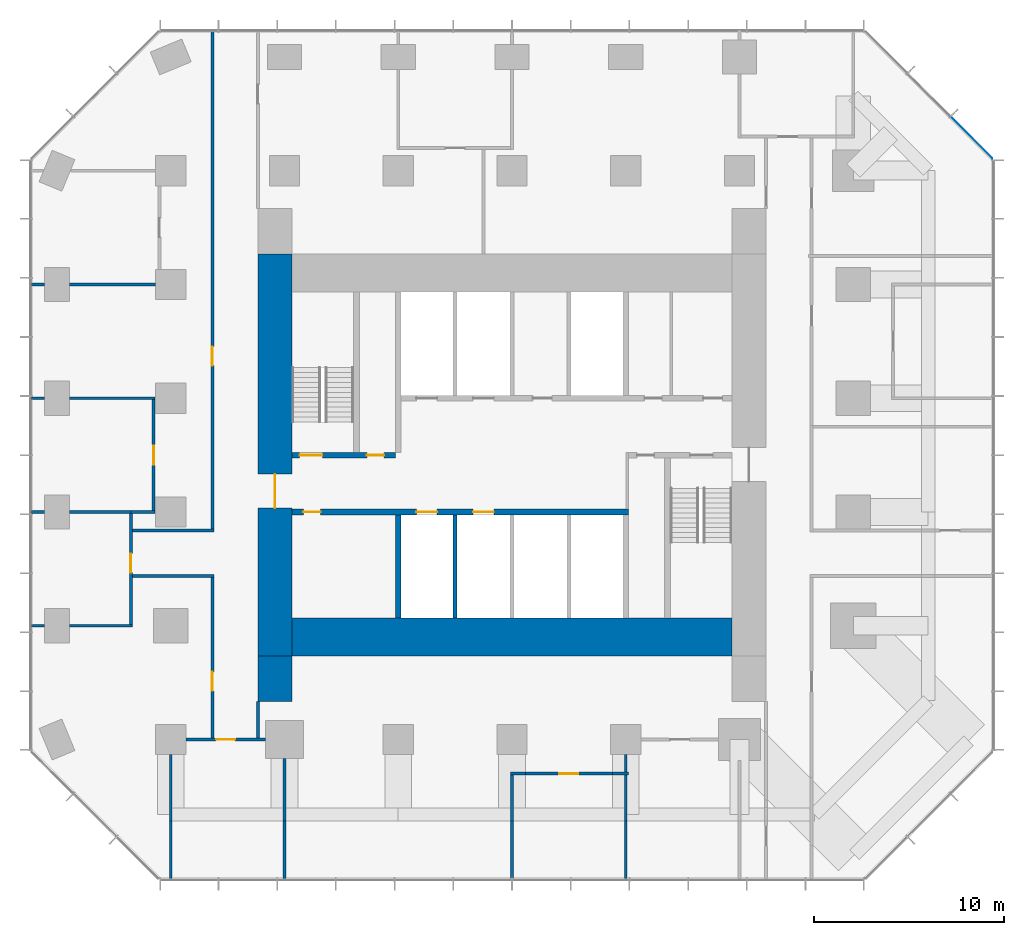
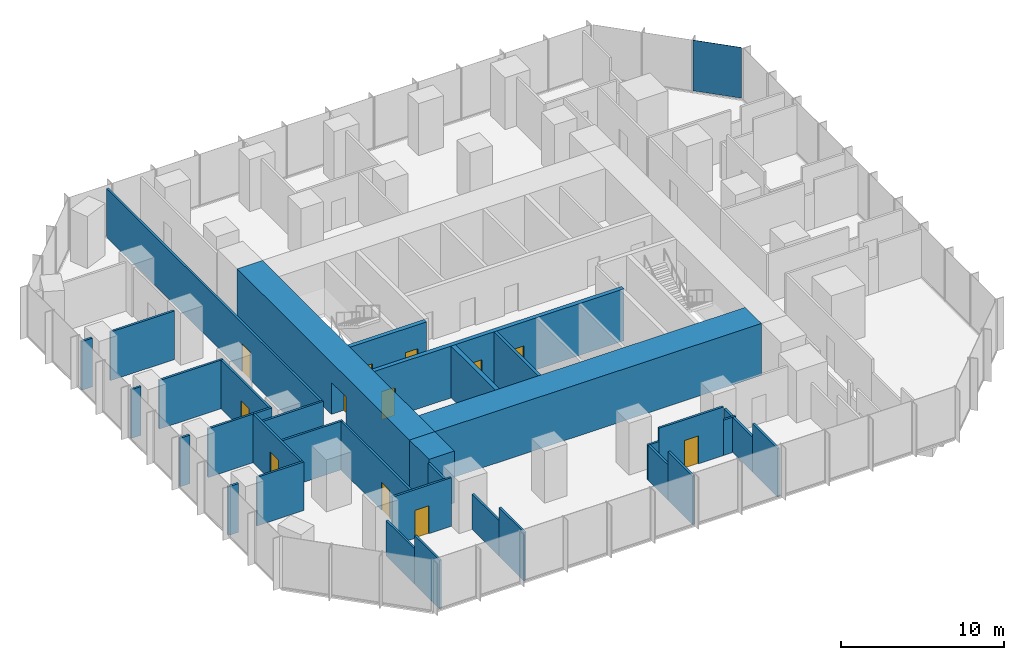
# One storey, part 8 of 11: 36 walls, 12 doors, 1 plate, 12 openings, 1 element without a shape of its own.
"""IFC4 building model written with IfcOpenShell, lengths in metres."""

from ifc_helpers import new_model, si_unit, direction, frame, frame_2d, origin, origin_2d, place, context, subcontext, project, spatial, rectangle, extrude, material, layer, layer_set, type_object, element, fill, aggregate, save


model = new_model("IFC4")

# Units and contexts
model_context = context("Model", 3, precision=1e-05, world=origin(), true_north=direction((0.0, 1.0)))
body_context = subcontext(model_context, "Body", "Model", "MODEL_VIEW")
ifc_project = project(units=[si_unit("LENGTHUNIT", "METRE"), si_unit("AREAUNIT", "SQUARE_METRE"), si_unit("VOLUMEUNIT", "CUBIC_METRE"), si_unit("PLANEANGLEUNIT", "RADIAN"), si_unit("MASSUNIT", "GRAM", prefix="KILO")], contexts=[model_context])

# Site, building, storey
site_placement = place(None, origin())
site = spatial("IfcSite", under=ifc_project, at=site_placement, CompositionType="ELEMENT")
building_placement = place(site_placement, origin())
building = spatial("IfcBuilding", under=site, at=building_placement, Name="Highveld Stack Headquarters", CompositionType="ELEMENT")
storey_placement = place(building_placement, frame((0.0, 0.0, 144.5)))
storey = spatial("IfcBuildingStorey", under=building, at=storey_placement, Name="L35", CompositionType="ELEMENT", Elevation=144.5)

# Curtain wall, plate
ifc_material_1 = material(Name="Aluminium bronze anodised", Category="aluminium")
ifc_layer_1 = layer(ifc_material_1, 0.199951171875)
ifc_layer_set_1 = layer_set([ifc_layer_1], Name="Aluminium bronze anodised")
curtain_wall_type = type_object("IfcCurtainWallType", Name="CW2 TOWER CHAMFER UNITISED CURTAIN WALL", PredefinedType="NOTDEFINED", material=ifc_layer_set_1)
curtain_wall_placement = place(storey_placement, origin())
curtain_wall = element("IfcCurtainWall", 1, at=curtain_wall_placement, inside=storey, type_object=curtain_wall_type, Name="Curtain wall CW2 L35 NE", PredefinedType="NOTDEFINED")
ifc_material_2 = material(Name="Glass bronze tinted double glazed unit", Category="glass")
ifc_layer_2 = layer(ifc_material_2, 0.028076171875)
ifc_layer_set_2 = layer_set([ifc_layer_2], Name="Glass bronze tinted double glazed unit")
plate_type = type_object("IfcPlateType", Name="CW2 PANEL BRONZE TINTED DOUBLE GLAZED UNIT", PredefinedType="CURTAIN_PANEL", material=ifc_layer_set_2)
plate_placement = place(storey_placement, frame((30.239501953125, 19.740478515625, 0.10009765625), z_axis=(0.0, 0.0, 1.0), x_axis=(-0.707106781187, 0.707106781187, 0.0)))
plate = element("IfcPlate", 2, at=plate_placement, type_object=plate_type, Name="CW2 panel L35 1.1", PredefinedType="CURTAIN_PANEL", context=body_context, shape_type="SweptSolid", body=[
    extrude(rectangle(XDim=3.08251953125, YDim=0.028076171875, at=origin_2d()), origin(), (0.0, 0.0, 1.0), 3.800048828125),
])
aggregate(curtain_wall, [plate])

# Wall, opening, door
ifc_material_3 = material(Name="Concrete C60/75", Category="concrete")
ifc_layer_3 = layer(ifc_material_3, 1.800048828125)
ifc_layer_set_3 = layer_set([ifc_layer_3], Name="Concrete C60/75")
wall_type_1 = type_object("IfcWallType", Name="CORE WALL 1800 C60/75", PredefinedType="SHEAR", material=ifc_layer_set_3)
wall_1_placement = place(storey_placement, frame((-6.5, -7.60009765625, 0.0), z_axis=(0.0, 0.0, 1.0), x_axis=(0.0, 1.0, 0.0)))
wall_1 = element("IfcWall", 3, at=wall_1_placement, inside=storey, type_object=wall_type_1, Name="Core wall W L35", PredefinedType="SHEAR", context=body_context, shape_type="SweptSolid", body=[
    extrude(rectangle(XDim=21.2001953125, YDim=1.800048828125, at=frame_2d((10.60009765625, 0.0))), origin(), (0.0, 0.0, 1.0), 3.89990234375),
])
opening_1_placement = place(wall_1_placement, frame((7.800048828125, 0.0, 0.0)))
opening_1 = element("IfcOpeningElement", 4, at=opening_1_placement, cuts=wall_1, Name="Opening L35-01", PredefinedType="OPENING", context=body_context, shape_type="SweptSolid", body=[
    extrude(rectangle(XDim=1.800048828125, YDim=2.39990234375, at=frame_2d((0.89990234375, 1.199951171875))), frame((0.0, 0.909912109375, 0.0), z_axis=(0.0, -1.0, 0.0), x_axis=(1.0, 0.0, 0.0)), (0.0, 0.0, 1.0), 1.820068359375),
])
ifc_material_4 = material(Name="Steel fire door", Category="steel")
door_type_1 = type_object("IfcDoorType", Name="LOBBY FIRE DOOR D4 1800x2400", OperationType="DOUBLE_DOOR_SINGLE_SWING", PredefinedType="DOOR", material=ifc_material_4)
door_1_placement = place(opening_1_placement, origin())
door_1 = element("IfcDoor", 5, at=door_1_placement, inside=storey, type_object=door_type_1, Name="Core west door L35", OperationType="DOUBLE_DOOR_SINGLE_SWING", OverallHeight=2.39990234375, OverallWidth=1.800048828125, PredefinedType="DOOR", context=body_context, shape_type="SweptSolid", body=[
    extrude(rectangle(XDim=1.800048828125, YDim=2.39990234375, at=frame_2d((0.89990234375, 1.199951171875))), frame((0.0, 0.02490234375, 0.0), z_axis=(0.0, -1.0, 0.0), x_axis=(1.0, 0.0, 0.0)), (0.0, 0.0, 1.0), 0.050048828125),
])
fill(opening_1, door_1)

# Wall
ifc_material_5 = material(Name="Concrete C60/75", Category="concrete")
ifc_layer_4 = layer(ifc_material_5, 2.0)
ifc_layer_set_4 = layer_set([ifc_layer_4], Name="Concrete C60/75")
wall_type_2 = type_object("IfcWallType", Name="CORE WALL 2000 C60/75", PredefinedType="SHEAR", material=ifc_layer_set_4)
wall_2_placement = place(storey_placement, frame((-5.60009765625, -6.60009765625, 0.0), z_axis=(0.0, 0.0, 1.0), x_axis=(1.0, 0.0, 0.0)))
element("IfcWall", 6, at=wall_2_placement, inside=storey, type_object=wall_type_2, Name="Core wall S L35", PredefinedType="SHEAR", context=body_context, shape_type="SweptSolid", body=[
    extrude(rectangle(XDim=23.2001953125, YDim=2.0, at=frame_2d((11.60009765625, 0.0))), origin(), (0.0, 0.0, 1.0), 3.89990234375),
])

# Wall, openings, doors
ifc_material_6 = material(Name="Concrete C60/75", Category="concrete")
ifc_layer_5 = layer(ifc_material_6, 0.300048828125)
ifc_layer_set_5 = layer_set([ifc_layer_5], Name="Concrete C60/75")
wall_type_3 = type_object("IfcWallType", Name="CORE WALL 300 C60/75", PredefinedType="SHEAR", material=ifc_layer_set_5)
wall_3_placement = place(storey_placement, frame((-5.60009765625, 0.0, 0.0), z_axis=(0.0, 0.0, 1.0), x_axis=(1.0, 0.0, 0.0)))
wall_3 = element("IfcWall", 7, at=wall_3_placement, inside=storey, type_object=wall_type_3, Name="Core wall I-Y0 L35", PredefinedType="SHEAR", context=body_context, shape_type="SweptSolid", body=[
    extrude(rectangle(XDim=17.75, YDim=0.300048828125, at=frame_2d((8.875, 0.0))), origin(), (0.0, 0.0, 1.0), 3.89990234375),
])
opening_2_placement = place(wall_3_placement, frame((0.60009765625, 0.0, 0.0)))
opening_2 = element("IfcOpeningElement", 8, at=opening_2_placement, cuts=wall_3, Name="Opening L35-07", PredefinedType="OPENING", context=body_context, shape_type="SweptSolid", body=[
    extrude(rectangle(XDim=0.89990234375, YDim=2.10009765625, at=frame_2d((0.449951171875, 1.050048828125))), frame((0.0, 0.159912109375, 0.0), z_axis=(0.0, -1.0, 0.0), x_axis=(1.0, 0.0, 0.0)), (0.0, 0.0, 1.0), 0.320068359375),
])
opening_3_placement = place(wall_3_placement, frame((6.550048828125, 0.0, 0.0)))
opening_3 = element("IfcOpeningElement", 9, at=opening_3_placement, cuts=wall_3, Name="Opening LD", PredefinedType="OPENING", context=body_context, shape_type="SweptSolid", body=[
    extrude(rectangle(XDim=1.10009765625, YDim=2.10009765625, at=frame_2d((0.550048828125, 1.050048828125))), frame((0.0, 0.159912109375, 0.0), z_axis=(0.0, -1.0, 0.0), x_axis=(1.0, 0.0, 0.0)), (0.0, 0.0, 1.0), 0.320068359375),
])
opening_4_placement = place(wall_3_placement, frame((9.550048828125, 0.0, 0.0)))
opening_4 = element("IfcOpeningElement", 10, at=opening_4_placement, cuts=wall_3, Name="Opening LD", PredefinedType="OPENING", context=body_context, shape_type="SweptSolid", body=[
    extrude(rectangle(XDim=1.10009765625, YDim=2.10009765625, at=frame_2d((0.550048828125, 1.050048828125))), frame((0.0, 0.159912109375, 0.0), z_axis=(0.0, -1.0, 0.0), x_axis=(1.0, 0.0, 0.0)), (0.0, 0.0, 1.0), 0.320068359375),
])
ifc_material_7 = material(Name="Stainless steel lift landing door", Category="steel")
door_type_2 = type_object("IfcDoorType", Name="LIFT LANDING DOOR LD 1100x2100", OperationType="DOUBLE_DOOR_SLIDING", PredefinedType="USERDEFINED", material=ifc_material_7)
door_2_placement = place(opening_3_placement, origin())
door_2 = element("IfcDoor", 11, at=door_2_placement, inside=storey, type_object=door_type_2, Name="Lift landing door B1 L35", ObjectType="LIFT LANDING DOOR", OperationType="DOUBLE_DOOR_SLIDING", OverallHeight=2.10009765625, OverallWidth=1.10009765625, PredefinedType="USERDEFINED", context=body_context, shape_type="SweptSolid", body=[
    extrude(rectangle(XDim=1.10009765625, YDim=2.10009765625, at=frame_2d((0.550048828125, 1.050048828125))), frame((0.0, 0.02490234375, 0.0), z_axis=(0.0, -1.0, 0.0), x_axis=(1.0, 0.0, 0.0)), (0.0, 0.0, 1.0), 0.050048828125),
])
fill(opening_3, door_2)
door_3_placement = place(opening_4_placement, origin())
door_3 = element("IfcDoor", 12, at=door_3_placement, inside=storey, type_object=door_type_2, Name="Lift landing door B2 L35", ObjectType="LIFT LANDING DOOR", OperationType="DOUBLE_DOOR_SLIDING", OverallHeight=2.10009765625, OverallWidth=1.10009765625, PredefinedType="USERDEFINED", context=body_context, shape_type="SweptSolid", body=[
    extrude(rectangle(XDim=1.10009765625, YDim=2.10009765625, at=frame_2d((0.550048828125, 1.050048828125))), frame((0.0, 0.02490234375, 0.0), z_axis=(0.0, -1.0, 0.0), x_axis=(1.0, 0.0, 0.0)), (0.0, 0.0, 1.0), 0.050048828125),
])
fill(opening_4, door_3)
ifc_material_8 = material(Name="Timber door, painted", Category="wood")
door_type_3 = type_object("IfcDoorType", Name="WC DOOR D1 900x2100", OperationType="SINGLE_SWING_LEFT", PredefinedType="DOOR", material=ifc_material_8)
door_4_placement = place(opening_2_placement, origin())
door_4 = element("IfcDoor", 13, at=door_4_placement, inside=storey, type_object=door_type_3, Name="Female WC door L35", OperationType="SINGLE_SWING_LEFT", OverallHeight=2.10009765625, OverallWidth=0.89990234375, PredefinedType="DOOR", context=body_context, shape_type="SweptSolid", body=[
    extrude(rectangle(XDim=0.89990234375, YDim=2.10009765625, at=frame_2d((0.449951171875, 1.050048828125))), frame((0.0, 0.02490234375, 0.0), z_axis=(0.0, -1.0, 0.0), x_axis=(1.0, 0.0, 0.0)), (0.0, 0.0, 1.0), 0.050048828125),
])
fill(opening_2, door_4)

wall_4_placement = place(storey_placement, frame((-5.60009765625, 3.0, 0.0), z_axis=(0.0, 0.0, 1.0), x_axis=(1.0, 0.0, 0.0)))
wall_4 = element("IfcWall", 14, at=wall_4_placement, inside=storey, type_object=wall_type_3, Name="Core wall I-Y3W L35", PredefinedType="SHEAR", context=body_context, shape_type="SweptSolid", body=[
    extrude(rectangle(XDim=5.4501953125, YDim=0.300048828125, at=frame_2d((2.72509765625, 0.0))), origin(), (0.0, 0.0, 1.0), 3.89990234375),
])
opening_5_placement = place(wall_4_placement, frame((0.39990234375, 0.0, 0.0)))
opening_5 = element("IfcOpeningElement", 15, at=opening_5_placement, cuts=wall_4, Name="Opening L35-03", PredefinedType="OPENING", context=body_context, shape_type="SweptSolid", body=[
    extrude(rectangle(XDim=1.199951171875, YDim=2.10009765625, at=frame_2d((0.60009765625, 1.050048828125))), frame((0.0, 0.159912109375, 0.0), z_axis=(0.0, -1.0, 0.0), x_axis=(1.0, 0.0, 0.0)), (0.0, 0.0, 1.0), 0.320068359375),
])
opening_6_placement = place(wall_4_placement, frame((3.949951171875, 0.0, 0.0)))
opening_6 = element("IfcOpeningElement", 16, at=opening_6_placement, cuts=wall_4, Name="Opening L35-04", PredefinedType="OPENING", context=body_context, shape_type="SweptSolid", body=[
    extrude(rectangle(XDim=0.89990234375, YDim=2.10009765625, at=frame_2d((0.449951171875, 1.050048828125))), frame((0.0, 0.159912109375, 0.0), z_axis=(0.0, -1.0, 0.0), x_axis=(1.0, 0.0, 0.0)), (0.0, 0.0, 1.0), 0.320068359375),
])
ifc_material_9 = material(Name="Steel fire door", Category="steel")
door_type_4 = type_object("IfcDoorType", Name="RISER ACCESS DOOR D5 900x2100", OperationType="SINGLE_SWING_LEFT", PredefinedType="DOOR", material=ifc_material_9)
door_5_placement = place(opening_6_placement, origin())
door_5 = element("IfcDoor", 17, at=door_5_placement, inside=storey, type_object=door_type_4, Name="Riser R1 door L35", OperationType="SINGLE_SWING_RIGHT", OverallHeight=2.10009765625, OverallWidth=0.89990234375, PredefinedType="DOOR", context=body_context, shape_type="SweptSolid", body=[
    extrude(rectangle(XDim=0.89990234375, YDim=2.10009765625, at=frame_2d((0.449951171875, 1.050048828125))), frame((0.0, 0.02490234375, 0.0), z_axis=(0.0, -1.0, 0.0), x_axis=(1.0, 0.0, 0.0)), (0.0, 0.0, 1.0), 0.050048828125),
])
fill(opening_6, door_5)
ifc_material_10 = material(Name="Steel fire door", Category="steel")
door_type_5 = type_object("IfcDoorType", Name="STAIR FIRE DOOR D3 1200x2100", OperationType="SINGLE_SWING_LEFT", PredefinedType="DOOR", material=ifc_material_10)
door_6_placement = place(opening_5_placement, origin())
door_6 = element("IfcDoor", 18, at=door_6_placement, inside=storey, type_object=door_type_5, Name="Stair S1 door L35", OperationType="SINGLE_SWING_LEFT", OverallHeight=2.10009765625, OverallWidth=1.199951171875, PredefinedType="DOOR", context=body_context, shape_type="SweptSolid", body=[
    extrude(rectangle(XDim=1.199951171875, YDim=2.10009765625, at=frame_2d((0.60009765625, 1.050048828125))), frame((0.0, 0.02490234375, 0.0), z_axis=(0.0, -1.0, 0.0), x_axis=(1.0, 0.0, 0.0)), (0.0, 0.0, 1.0), 0.050048828125),
])
fill(opening_5, door_6)

# Walls
wall_5_placement = place(storey_placement, frame((0.0, -5.60009765625, 0.0), z_axis=(0.0, 0.0, 1.0), x_axis=(0.0, 1.0, 0.0)))
element("IfcWall", 19, at=wall_5_placement, inside=storey, type_object=wall_type_3, Name="Core wall I-X0S L35", PredefinedType="SHEAR", context=body_context, shape_type="SweptSolid", body=[
    extrude(rectangle(XDim=5.4501953125, YDim=0.300048828125, at=frame_2d((2.72509765625, 0.0))), origin(), (0.0, 0.0, 1.0), 3.89990234375),
])
ifc_material_11 = material(Name="Concrete C60/75", Category="concrete")
ifc_layer_6 = layer(ifc_material_11, 1.800048828125)
ifc_layer_set_6 = layer_set([ifc_layer_6], Name="Concrete C60/75")
wall_type_4 = type_object("IfcWallType", Name="CORE WING WALL 1800 C60/75", PredefinedType="SHEAR", material=ifc_layer_set_6)
wall_6_placement = place(storey_placement, frame((-6.5, -10.0, 0.0), z_axis=(0.0, 0.0, 1.0), x_axis=(0.0, 1.0, 0.0)))
element("IfcWall", 20, at=wall_6_placement, inside=storey, type_object=wall_type_4, Name="Core wing wall WS L35", PredefinedType="SHEAR", context=body_context, shape_type="SweptSolid", body=[
    extrude(rectangle(XDim=2.39990234375, YDim=1.800048828125, at=frame_2d((1.199951171875, 0.0))), origin(), (0.0, 0.0, 1.0), 3.89990234375),
])

# Wall, opening, door
ifc_material_12 = material(Name="Laminated glass in aluminium frame", Category="aluminium")
ifc_layer_7 = layer(ifc_material_12, 0.14990234375)
ifc_layer_set_7 = layer_set([ifc_layer_7], Name="Laminated glass in aluminium frame")
wall_type_5 = type_object("IfcWallType", Name="GLAZED PARTITION 150", PredefinedType="PARTITIONING", material=ifc_layer_set_7)
wall_7_placement = place(storey_placement, frame((-11.199951171875, -12.0, 0.0), z_axis=(0.0, 0.0, 1.0), x_axis=(1.0, 0.0, 0.0)))
wall_7 = element("IfcWall", 21, at=wall_7_placement, inside=storey, type_object=wall_type_5, Name="Glazed partition Meeting room L35", PredefinedType="PARTITIONING", context=body_context, shape_type="SweptSolid", body=[
    extrude(rectangle(XDim=4.199951171875, YDim=0.14990234375, at=frame_2d((2.10009765625, 0.0))), origin(), (0.0, 0.0, 1.0), 3.64990234375),
])
opening_7_placement = place(wall_7_placement, frame((1.60009765625, 0.0, 0.0)))
opening_7 = element("IfcOpeningElement", 22, at=opening_7_placement, cuts=wall_7, Name="Opening L35-11", PredefinedType="OPENING", context=body_context, shape_type="SweptSolid", body=[
    extrude(rectangle(XDim=1.0, YDim=2.10009765625, at=frame_2d((0.5, 1.050048828125))), frame((0.0, 0.0849609375, 0.0), z_axis=(0.0, -1.0, 0.0), x_axis=(1.0, 0.0, 0.0)), (0.0, 0.0, 1.0), 0.169921875),
])
ifc_material_13 = material(Name="Timber door, oiled ash", Category="wood")
door_type_6 = type_object("IfcDoorType", Name="ROOM DOOR D6 1000x2100", OperationType="SINGLE_SWING_LEFT", PredefinedType="DOOR", material=ifc_material_13)
door_7_placement = place(opening_7_placement, origin())
door_7 = element("IfcDoor", 23, at=door_7_placement, inside=storey, type_object=door_type_6, Name="Meeting room door 1 L35", OperationType="SINGLE_SWING_RIGHT", OverallHeight=2.10009765625, OverallWidth=1.0, PredefinedType="DOOR", context=body_context, shape_type="SweptSolid", body=[
    extrude(rectangle(XDim=1.0, YDim=2.10009765625, at=frame_2d((0.5, 1.050048828125))), frame((0.0, 0.02490234375, 0.0), z_axis=(0.0, -1.0, 0.0), x_axis=(1.0, 0.0, 0.0)), (0.0, 0.0, 1.0), 0.050048828125),
])
fill(opening_7, door_7)

# Walls
ifc_material_14 = material(Name="Concrete blockwork, fair-faced", Category="masonry")
ifc_layer_8 = layer(ifc_material_14, 0.199951171875)
ifc_layer_set_8 = layer_set([ifc_layer_8], Name="Concrete blockwork, fair-faced")
wall_type_6 = type_object("IfcWallType", Name="LIFT SHAFT ENCLOSURE WALL 200 BLOCKWORK", PredefinedType="SOLIDWALL", material=ifc_layer_set_8)
wall_8_placement = place(storey_placement, frame((3.0, -5.60009765625, 0.0), z_axis=(0.0, 0.0, 1.0), x_axis=(0.0, 1.0, 0.0)))
element("IfcWall", 24, at=wall_8_placement, inside=storey, type_object=wall_type_6, Name="Lift shaft wall L35", PredefinedType="SOLIDWALL", context=body_context, shape_type="SweptSolid", body=[
    extrude(rectangle(XDim=5.4501953125, YDim=0.199951171875, at=frame_2d((2.72509765625, 0.0))), origin(), (0.0, 0.0, 1.0), 3.89990234375),
])
ifc_material_15 = material(Name="Gypsum plasterboard on steel studs", Category="steel")
ifc_layer_9 = layer(ifc_material_15, 0.14990234375)
ifc_layer_set_9 = layer_set([ifc_layer_9], Name="Gypsum plasterboard on steel studs")
wall_type_7 = type_object("IfcWallType", Name="PARTITION 150 PLASTERBOARD", PredefinedType="PARTITIONING", material=ifc_layer_set_9)
wall_9_placement = place(storey_placement, frame((5.925048828125, -13.800048828125, 0.0), z_axis=(0.0, 0.0, 1.0), x_axis=(1.0, 0.0, 0.0)))
element("IfcWall", 25, at=wall_9_placement, inside=storey, type_object=wall_type_7, Name="Partition Print room L35", PredefinedType="PARTITIONING", context=body_context, shape_type="SweptSolid", body=[
    extrude(rectangle(XDim=0.784912109375, YDim=0.14990234375, at=frame_2d((0.392578125, 0.0))), origin(), (0.0, 0.0, 1.0), 2.64990234375),
])

# Wall, opening, door
wall_10_placement = place(storey_placement, frame((6.7099609375, -13.800048828125, 0.0), z_axis=(0.0, 0.0, 1.0), x_axis=(1.0, 0.0, 0.0)))
wall_10 = element("IfcWall", 26, at=wall_10_placement, inside=storey, type_object=wall_type_7, Name="Partition Print room L35", PredefinedType="PARTITIONING", context=body_context, shape_type="SweptSolid", body=[
    extrude(rectangle(XDim=4.580078125, YDim=0.14990234375, at=frame_2d((2.2900390625, 0.0))), origin(), (0.0, 0.0, 1.0), 3.64990234375),
])
opening_8_placement = place(wall_10_placement, frame((1.7900390625, 0.0, 0.0)))
opening_8 = element("IfcOpeningElement", 27, at=opening_8_placement, cuts=wall_10, Name="Opening L35-12", PredefinedType="OPENING", context=body_context, shape_type="SweptSolid", body=[
    extrude(rectangle(XDim=1.0, YDim=2.10009765625, at=frame_2d((0.5, 1.050048828125))), frame((0.0, 0.0849609375, 0.0), z_axis=(0.0, -1.0, 0.0), x_axis=(1.0, 0.0, 0.0)), (0.0, 0.0, 1.0), 0.169921875),
])
door_8_placement = place(opening_8_placement, origin())
door_8 = element("IfcDoor", 28, at=door_8_placement, inside=storey, type_object=door_type_6, Name="Print room door 1 L35", OperationType="SINGLE_SWING_RIGHT", OverallHeight=2.10009765625, OverallWidth=1.0, PredefinedType="DOOR", context=body_context, shape_type="SweptSolid", body=[
    extrude(rectangle(XDim=1.0, YDim=2.10009765625, at=frame_2d((0.5, 1.050048828125))), frame((0.0, 0.02490234375, 0.0), z_axis=(0.0, -1.0, 0.0), x_axis=(1.0, 0.0, 0.0)), (0.0, 0.0, 1.0), 0.050048828125),
])
fill(opening_8, door_8)

# Walls
wall_11_placement = place(storey_placement, frame((11.2900390625, -13.800048828125, 0.0), z_axis=(0.0, 0.0, 1.0), x_axis=(1.0, 0.0, 0.0)))
element("IfcWall", 29, at=wall_11_placement, inside=storey, type_object=wall_type_7, Name="Partition Print room L35", PredefinedType="PARTITIONING", context=body_context, shape_type="SweptSolid", body=[
    extrude(rectangle(XDim=0.85986328125, YDim=0.14990234375, at=frame_2d((0.429931640625, 0.0))), origin(), (0.0, 0.0, 1.0), 2.64990234375),
])
wall_12_placement = place(storey_placement, frame((-19.39990234375, -6.0, 0.0), z_axis=(0.0, 0.0, 1.0), x_axis=(1.0, 0.0, 0.0)))
element("IfcWall", 30, at=wall_12_placement, inside=storey, type_object=wall_type_7, Name="Partition Focus room L35", PredefinedType="PARTITIONING", context=body_context, shape_type="SweptSolid", body=[
    extrude(rectangle(XDim=0.75, YDim=0.14990234375, at=frame_2d((0.375, 0.0))), origin(), (0.0, 0.0, 1.0), 3.64990234375),
])
wall_13_placement = place(storey_placement, frame((-17.35009765625, -6.0, 0.0), z_axis=(0.0, 0.0, 1.0), x_axis=(1.0, 0.0, 0.0)))
element("IfcWall", 31, at=wall_13_placement, inside=storey, type_object=wall_type_7, Name="Partition Focus room L35", PredefinedType="PARTITIONING", context=body_context, shape_type="SweptSolid", body=[
    extrude(rectangle(XDim=3.3251953125, YDim=0.14990234375, at=frame_2d((1.66259765625, 0.0))), origin(), (0.0, 0.0, 1.0), 3.64990234375),
])
wall_14_placement = place(storey_placement, frame((-19.35009765625, 0.0, 0.0), z_axis=(0.0, 0.0, 1.0), x_axis=(1.0, 0.0, 0.0)))
element("IfcWall", 32, at=wall_14_placement, inside=storey, type_object=wall_type_7, Name="Partition Focus room / Interview room L35", PredefinedType="PARTITIONING", context=body_context, shape_type="SweptSolid", body=[
    extrude(rectangle(XDim=0.7001953125, YDim=0.14990234375, at=frame_2d((0.35009765625, 0.0))), origin(), (0.0, 0.0, 1.0), 3.64990234375),
])
wall_15_placement = place(storey_placement, frame((-17.35009765625, 0.0, 0.0), z_axis=(0.0, 0.0, 1.0), x_axis=(1.0, 0.0, 0.0)))
element("IfcWall", 33, at=wall_15_placement, inside=storey, type_object=wall_type_7, Name="Partition Focus room / Interview room L35", PredefinedType="PARTITIONING", context=body_context, shape_type="SweptSolid", body=[
    extrude(rectangle(XDim=3.3251953125, YDim=0.14990234375, at=frame_2d((1.66259765625, 0.0))), origin(), (0.0, 0.0, 1.0), 3.64990234375),
])
wall_16_placement = place(storey_placement, frame((-14.10009765625, 0.0, 0.0), z_axis=(0.0, 0.0, 1.0), x_axis=(1.0, 0.0, 0.0)))
element("IfcWall", 34, at=wall_16_placement, inside=storey, type_object=wall_type_7, Name="Partition Interview room L35", PredefinedType="PARTITIONING", context=body_context, shape_type="SweptSolid", body=[
    extrude(rectangle(XDim=1.275146484375, YDim=0.14990234375, at=frame_2d((0.6376953125, 0.0))), origin(), (0.0, 0.0, 1.0), 3.64990234375),
])
wall_17_placement = place(storey_placement, frame((-19.35009765625, 6.0, 0.0), z_axis=(0.0, 0.0, 1.0), x_axis=(1.0, 0.0, 0.0)))
element("IfcWall", 35, at=wall_17_placement, inside=storey, type_object=wall_type_7, Name="Partition Interview room L35", PredefinedType="PARTITIONING", context=body_context, shape_type="SweptSolid", body=[
    extrude(rectangle(XDim=0.7001953125, YDim=0.14990234375, at=frame_2d((0.35009765625, 0.0))), origin(), (0.0, 0.0, 1.0), 3.64990234375),
])
wall_18_placement = place(storey_placement, frame((-17.35009765625, 6.0, 0.0), z_axis=(0.0, 0.0, 1.0), x_axis=(1.0, 0.0, 0.0)))
element("IfcWall", 36, at=wall_18_placement, inside=storey, type_object=wall_type_7, Name="Partition Interview room L35", PredefinedType="PARTITIONING", context=body_context, shape_type="SweptSolid", body=[
    extrude(rectangle(XDim=4.525146484375, YDim=0.14990234375, at=frame_2d((2.2626953125, 0.0))), origin(), (0.0, 0.0, 1.0), 3.64990234375),
])
wall_19_placement = place(storey_placement, frame((-19.39990234375, 12.0, 0.0), z_axis=(0.0, 0.0, 1.0), x_axis=(1.0, 0.0, 0.0)))
element("IfcWall", 37, at=wall_19_placement, inside=storey, type_object=wall_type_7, Name="Partition Video conference room L35", PredefinedType="PARTITIONING", context=body_context, shape_type="SweptSolid", body=[
    extrude(rectangle(XDim=0.75, YDim=0.14990234375, at=frame_2d((0.375, 0.0))), origin(), (0.0, 0.0, 1.0), 3.64990234375),
])
wall_20_placement = place(storey_placement, frame((-17.35009765625, 12.0, 0.0), z_axis=(0.0, 0.0, 1.0), x_axis=(1.0, 0.0, 0.0)))
element("IfcWall", 38, at=wall_20_placement, inside=storey, type_object=wall_type_7, Name="Partition Video conference room L35", PredefinedType="PARTITIONING", context=body_context, shape_type="SweptSolid", body=[
    extrude(rectangle(XDim=4.550048828125, YDim=0.14990234375, at=frame_2d((2.27490234375, 0.0))), origin(), (0.0, 0.0, 1.0), 3.64990234375),
])

# Wall, opening, door
wall_21_placement = place(storey_placement, frame((-14.10009765625, -5.925048828125, 0.0), z_axis=(0.0, 0.0, 1.0), x_axis=(0.0, 1.0, 0.0)))
wall_21 = element("IfcWall", 39, at=wall_21_placement, inside=storey, type_object=wall_type_7, Name="Partition Focus room L35", PredefinedType="PARTITIONING", context=body_context, shape_type="SweptSolid", body=[
    extrude(rectangle(XDim=5.85009765625, YDim=0.14990234375, at=frame_2d((2.925048828125, 0.0))), origin(), (0.0, 0.0, 1.0), 3.64990234375),
])
opening_9_placement = place(wall_21_placement, frame((2.72509765625, 0.0, 0.0)))
opening_9 = element("IfcOpeningElement", 40, at=opening_9_placement, cuts=wall_21, Name="Opening L35-14", PredefinedType="OPENING", context=body_context, shape_type="SweptSolid", body=[
    extrude(rectangle(XDim=1.0, YDim=2.10009765625, at=frame_2d((0.5, 1.050048828125))), frame((0.0, 0.0849609375, 0.0), z_axis=(0.0, -1.0, 0.0), x_axis=(1.0, 0.0, 0.0)), (0.0, 0.0, 1.0), 0.169921875),
])
door_9_placement = place(opening_9_placement, origin())
door_9 = element("IfcDoor", 41, at=door_9_placement, inside=storey, type_object=door_type_6, Name="Focus room door 1 L35", OperationType="SINGLE_SWING_RIGHT", OverallHeight=2.10009765625, OverallWidth=1.0, PredefinedType="DOOR", context=body_context, shape_type="SweptSolid", body=[
    extrude(rectangle(XDim=1.0, YDim=2.10009765625, at=frame_2d((0.5, 1.050048828125))), frame((0.0, 0.02490234375, 0.0), z_axis=(0.0, -1.0, 0.0), x_axis=(1.0, 0.0, 0.0)), (0.0, 0.0, 1.0), 0.050048828125),
])
fill(opening_9, door_9)

wall_22_placement = place(storey_placement, frame((-12.89990234375, 0.074951171875, 0.0), z_axis=(0.0, 0.0, 1.0), x_axis=(0.0, 1.0, 0.0)))
wall_22 = element("IfcWall", 42, at=wall_22_placement, inside=storey, type_object=wall_type_7, Name="Partition Interview room L35", PredefinedType="PARTITIONING", context=body_context, shape_type="SweptSolid", body=[
    extrude(rectangle(XDim=5.85009765625, YDim=0.14990234375, at=frame_2d((2.925048828125, 0.0))), origin(), (0.0, 0.0, 1.0), 3.64990234375),
])
opening_10_placement = place(wall_22_placement, frame((2.425048828125, 0.0, 0.0)))
opening_10 = element("IfcOpeningElement", 43, at=opening_10_placement, cuts=wall_22, Name="Opening L35-15", PredefinedType="OPENING", context=body_context, shape_type="SweptSolid", body=[
    extrude(rectangle(XDim=1.0, YDim=2.10009765625, at=frame_2d((0.5, 1.050048828125))), frame((0.0, 0.0849609375, 0.0), z_axis=(0.0, -1.0, 0.0), x_axis=(1.0, 0.0, 0.0)), (0.0, 0.0, 1.0), 0.169921875),
])
door_10_placement = place(opening_10_placement, origin())
door_10 = element("IfcDoor", 44, at=door_10_placement, inside=storey, type_object=door_type_6, Name="Interview room door 1 L35", OperationType="SINGLE_SWING_LEFT", OverallHeight=2.10009765625, OverallWidth=1.0, PredefinedType="DOOR", context=body_context, shape_type="SweptSolid", body=[
    extrude(rectangle(XDim=1.0, YDim=2.10009765625, at=frame_2d((0.5, 1.050048828125))), frame((0.0, 0.02490234375, 0.0), z_axis=(0.0, -1.0, 0.0), x_axis=(1.0, 0.0, 0.0)), (0.0, 0.0, 1.0), 0.050048828125),
])
fill(opening_10, door_10)

# Walls
wall_23_placement = place(storey_placement, frame((-12.0, -19.39990234375, 0.0), z_axis=(0.0, 0.0, 1.0), x_axis=(0.0, 1.0, 0.0)))
element("IfcWall", 45, at=wall_23_placement, inside=storey, type_object=wall_type_7, Name="Partition Meeting room L35", PredefinedType="PARTITIONING", context=body_context, shape_type="SweptSolid", body=[
    extrude(rectangle(XDim=3.08984375, YDim=0.14990234375, at=frame_2d((1.544921875, 0.0))), origin(), (0.0, 0.0, 1.0), 3.64990234375),
])
wall_24_placement = place(storey_placement, frame((-12.0, -16.31005859375, 0.0), z_axis=(0.0, 0.0, 1.0), x_axis=(0.0, 1.0, 0.0)))
element("IfcWall", 46, at=wall_24_placement, inside=storey, type_object=wall_type_7, Name="Partition Meeting room L35", PredefinedType="PARTITIONING", context=body_context, shape_type="SweptSolid", body=[
    extrude(rectangle(XDim=3.510009765625, YDim=0.14990234375, at=frame_2d((1.7548828125, 0.0))), origin(), (0.0, 0.0, 1.0), 2.64990234375),
])
wall_25_placement = place(storey_placement, frame((-6.0, -19.39990234375, 0.0), z_axis=(0.0, 0.0, 1.0), x_axis=(0.0, 1.0, 0.0)))
element("IfcWall", 47, at=wall_25_placement, inside=storey, type_object=wall_type_7, Name="Partition Meeting room L35", PredefinedType="PARTITIONING", context=body_context, shape_type="SweptSolid", body=[
    extrude(rectangle(XDim=3.08984375, YDim=0.14990234375, at=frame_2d((1.544921875, 0.0))), origin(), (0.0, 0.0, 1.0), 3.64990234375),
])
wall_26_placement = place(storey_placement, frame((-6.0, -16.31005859375, 0.0), z_axis=(0.0, 0.0, 1.0), x_axis=(0.0, 1.0, 0.0)))
element("IfcWall", 48, at=wall_26_placement, inside=storey, type_object=wall_type_7, Name="Partition Meeting room L35", PredefinedType="PARTITIONING", context=body_context, shape_type="SweptSolid", body=[
    extrude(rectangle(XDim=3.31005859375, YDim=0.14990234375, at=frame_2d((1.655029296875, 0.0))), origin(), (0.0, 0.0, 1.0), 2.64990234375),
])
wall_27_placement = place(storey_placement, frame((6.0, -19.35009765625, 0.0), z_axis=(0.0, 0.0, 1.0), x_axis=(0.0, 1.0, 0.0)))
element("IfcWall", 49, at=wall_27_placement, inside=storey, type_object=wall_type_7, Name="Partition Print room L35", PredefinedType="PARTITIONING", context=body_context, shape_type="SweptSolid", body=[
    extrude(rectangle(XDim=3.0400390625, YDim=0.14990234375, at=frame_2d((1.52001953125, 0.0))), origin(), (0.0, 0.0, 1.0), 3.64990234375),
])
wall_28_placement = place(storey_placement, frame((6.0, -16.31005859375, 0.0), z_axis=(0.0, 0.0, 1.0), x_axis=(0.0, 1.0, 0.0)))
element("IfcWall", 50, at=wall_28_placement, inside=storey, type_object=wall_type_7, Name="Partition Print room L35", PredefinedType="PARTITIONING", context=body_context, shape_type="SweptSolid", body=[
    extrude(rectangle(XDim=2.43505859375, YDim=0.14990234375, at=frame_2d((1.217529296875, 0.0))), origin(), (0.0, 0.0, 1.0), 2.64990234375),
])
wall_29_placement = place(storey_placement, frame((12.0, -19.39990234375, 0.0), z_axis=(0.0, 0.0, 1.0), x_axis=(0.0, 1.0, 0.0)))
element("IfcWall", 51, at=wall_29_placement, inside=storey, type_object=wall_type_7, Name="Partition Meeting room / Print room L35", PredefinedType="PARTITIONING", context=body_context, shape_type="SweptSolid", body=[
    extrude(rectangle(XDim=3.08984375, YDim=0.14990234375, at=frame_2d((1.544921875, 0.0))), origin(), (0.0, 0.0, 1.0), 3.64990234375),
])
wall_30_placement = place(storey_placement, frame((12.0, -16.31005859375, 0.0), z_axis=(0.0, 0.0, 1.0), x_axis=(0.0, 1.0, 0.0)))
element("IfcWall", 52, at=wall_30_placement, inside=storey, type_object=wall_type_7, Name="Partition Meeting room / Print room L35", PredefinedType="PARTITIONING", context=body_context, shape_type="SweptSolid", body=[
    extrude(rectangle(XDim=2.43505859375, YDim=0.14990234375, at=frame_2d((1.217529296875, 0.0))), origin(), (0.0, 0.0, 1.0), 2.64990234375),
])
wall_31_placement = place(storey_placement, frame((12.0, -13.72509765625, 0.0), z_axis=(0.0, 0.0, 1.0), x_axis=(0.0, 1.0, 0.0)))
element("IfcWall", 53, at=wall_31_placement, inside=storey, type_object=wall_type_7, Name="Partition Meeting room L35", PredefinedType="PARTITIONING", context=body_context, shape_type="SweptSolid", body=[
    extrude(rectangle(XDim=0.925048828125, YDim=0.14990234375, at=frame_2d((0.46240234375, 0.0))), origin(), (0.0, 0.0, 1.0), 2.64990234375),
])
for number, where, z_axis, x_axis, name in (
    (54, (-14.02490234375, -3.375, 0.0), (0.0, 0.0, 1.0), (1.0, 0.0, 0.0), "Partition office neighbourhood L35"),
    (55, (-14.02490234375, -0.97509765625, 0.0), (0.0, 0.0, 1.0), (1.0, 0.0, 0.0), "Partition office neighbourhood L35"),
):
    element("IfcWall", number, at=place(storey_placement, frame(where, z_axis=z_axis, x_axis=x_axis)), inside=storey, type_object=wall_type_7, Name=name, PredefinedType="PARTITIONING", context=body_context, shape_type="SweptSolid", body=[
        extrude(rectangle(XDim=4.2998046875, YDim=0.14990234375, at=frame_2d((2.14990234375, 0.0))), origin(), (0.0, 0.0, 1.0), 3.64990234375),
    ])

# Wall, opening, door
wall_32_placement = place(storey_placement, frame((-9.800048828125, -11.925048828125, 0.0), z_axis=(0.0, 0.0, 1.0), x_axis=(0.0, 1.0, 0.0)))
wall_32 = element("IfcWall", 56, at=wall_32_placement, inside=storey, type_object=wall_type_7, Name="Partition office neighbourhood L35", PredefinedType="PARTITIONING", context=body_context, shape_type="SweptSolid", body=[
    extrude(rectangle(XDim=8.47509765625, YDim=0.14990234375, at=frame_2d((4.237548828125, 0.0))), origin(), (0.0, 0.0, 1.0), 3.64990234375),
])
opening_11_placement = place(wall_32_placement, frame((2.492919921875, 0.0, 0.0)))
opening_11 = element("IfcOpeningElement", 57, at=opening_11_placement, cuts=wall_32, Name="Opening L35-22", PredefinedType="OPENING", context=body_context, shape_type="SweptSolid", body=[
    extrude(rectangle(XDim=1.0, YDim=2.10009765625, at=frame_2d((0.5, 1.050048828125))), frame((0.0, 0.0849609375, 0.0), z_axis=(0.0, -1.0, 0.0), x_axis=(1.0, 0.0, 0.0)), (0.0, 0.0, 1.0), 0.169921875),
])
door_11_placement = place(opening_11_placement, origin())
door_11 = element("IfcDoor", 58, at=door_11_placement, inside=storey, type_object=door_type_6, Name="Office neighbourhood door L35", OperationType="SINGLE_SWING_LEFT", OverallHeight=2.10009765625, OverallWidth=1.0, PredefinedType="DOOR", context=body_context, shape_type="SweptSolid", body=[
    extrude(rectangle(XDim=1.0, YDim=2.10009765625, at=frame_2d((0.5, 1.050048828125))), frame((0.0, 0.02490234375, 0.0), z_axis=(0.0, -1.0, 0.0), x_axis=(1.0, 0.0, 0.0)), (0.0, 0.0, 1.0), 0.050048828125),
])
fill(opening_11, door_11)

wall_33_placement = place(storey_placement, frame((-9.800048828125, -0.89990234375, 0.0), z_axis=(0.0, 0.0, 1.0), x_axis=(0.0, 1.0, 0.0)))
wall_33 = element("IfcWall", 59, at=wall_33_placement, inside=storey, type_object=wall_type_7, Name="Partition office neighbourhood L35", PredefinedType="PARTITIONING", context=body_context, shape_type="SweptSolid", body=[
    extrude(rectangle(XDim=26.2998046875, YDim=0.14990234375, at=frame_2d((13.14990234375, 0.0))), origin(), (0.0, 0.0, 1.0), 3.64990234375),
])
opening_12_placement = place(wall_33_placement, frame((8.62109375, 0.0, 0.0)))
opening_12 = element("IfcOpeningElement", 60, at=opening_12_placement, cuts=wall_33, Name="Opening L35-25", PredefinedType="OPENING", context=body_context, shape_type="SweptSolid", body=[
    extrude(rectangle(XDim=1.0, YDim=2.10009765625, at=frame_2d((0.5, 1.050048828125))), frame((0.0, 0.0849609375, 0.0), z_axis=(0.0, -1.0, 0.0), x_axis=(1.0, 0.0, 0.0)), (0.0, 0.0, 1.0), 0.169921875),
])
door_12_placement = place(opening_12_placement, origin())
door_12 = element("IfcDoor", 61, at=door_12_placement, inside=storey, type_object=door_type_6, Name="Office neighbourhood door L35", OperationType="SINGLE_SWING_LEFT", OverallHeight=2.10009765625, OverallWidth=1.0, PredefinedType="DOOR", context=body_context, shape_type="SweptSolid", body=[
    extrude(rectangle(XDim=1.0, YDim=2.10009765625, at=frame_2d((0.5, 1.050048828125))), frame((0.0, 0.02490234375, 0.0), z_axis=(0.0, -1.0, 0.0), x_axis=(1.0, 0.0, 0.0)), (0.0, 0.0, 1.0), 0.050048828125),
])
fill(opening_12, door_12)

# Wall
wall_34_placement = place(storey_placement, frame((-7.39990234375, -11.925048828125, 0.0), z_axis=(0.0, 0.0, 1.0), x_axis=(0.0, 1.0, 0.0)))
element("IfcWall", 62, at=wall_34_placement, inside=storey, type_object=wall_type_7, Name="Partition office neighbourhood L35", PredefinedType="PARTITIONING", context=body_context, shape_type="SweptSolid", body=[
    extrude(rectangle(XDim=1.925048828125, YDim=0.14990234375, at=frame_2d((0.96240234375, 0.0))), origin(), (0.0, 0.0, 1.0), 3.64990234375),
])

save(model, "model.ifc")
